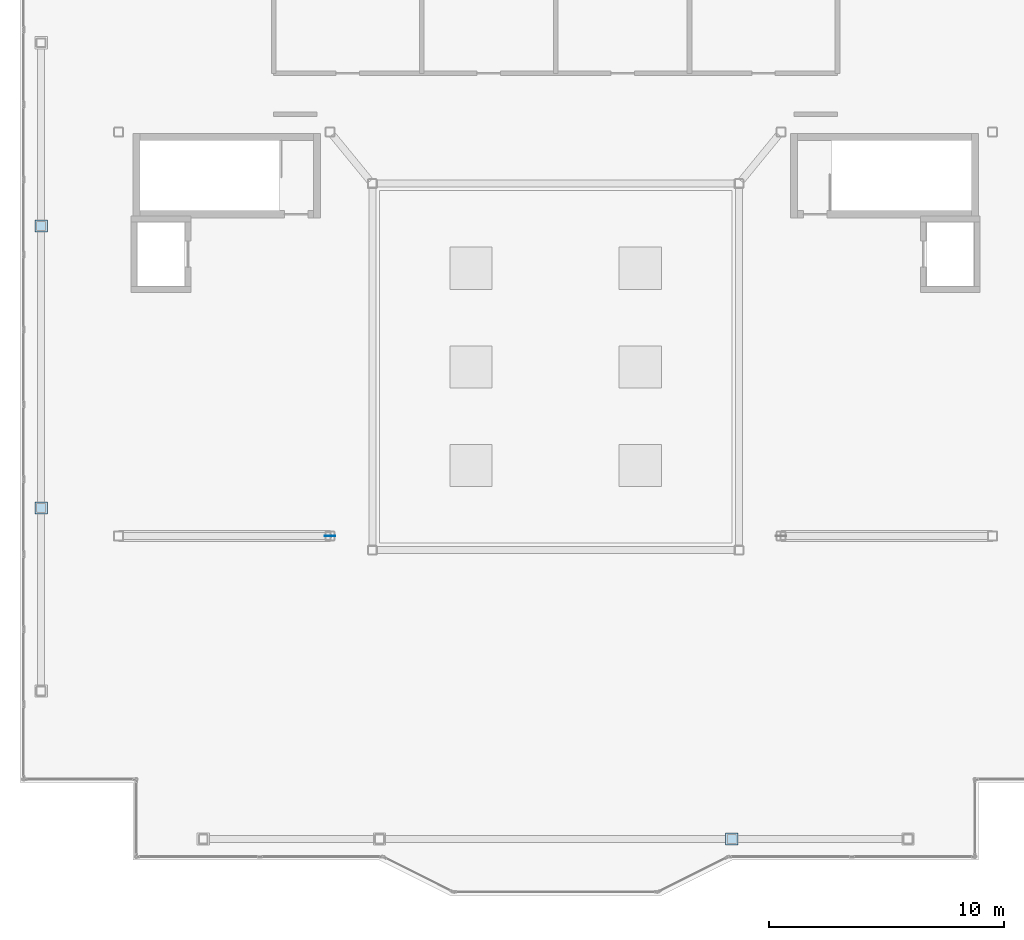
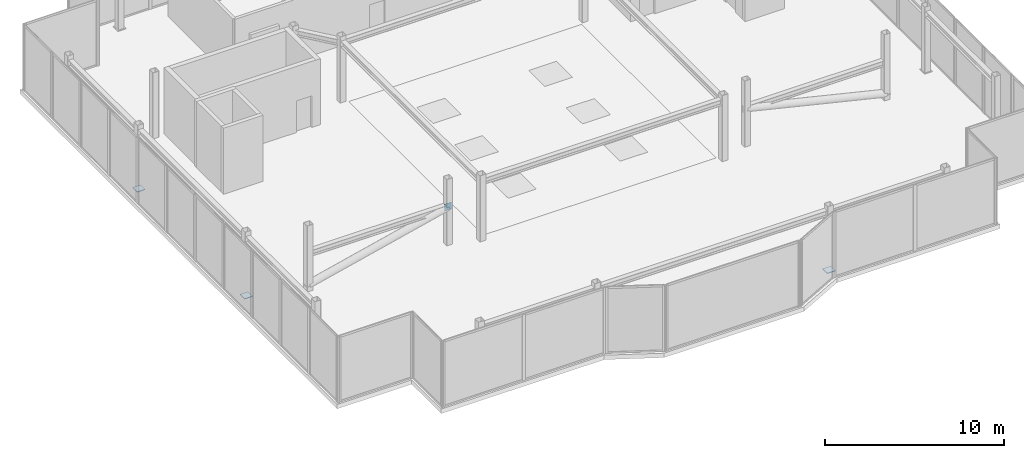
# One storey, part 15 of 18: 4 plates.
"""IFC4 building model written with IfcOpenShell, lengths in metres."""

from ifc_helpers import new_model, si_unit, direction, frame, origin, origin_2d, place, context, subcontext, project, spatial, rectangle, extrude, material, layer, layer_set, type_object, element, save


model = new_model("IFC4")

# Units and contexts
model_context = context("Model", 3, precision=1e-05, world=origin(), true_north=direction((0.0, 1.0)))
body_context = subcontext(model_context, "Body", "Model", "MODEL_VIEW")
ifc_project = project(units=[si_unit("LENGTHUNIT", "METRE"), si_unit("AREAUNIT", "SQUARE_METRE"), si_unit("VOLUMEUNIT", "CUBIC_METRE"), si_unit("PLANEANGLEUNIT", "RADIAN"), si_unit("MASSUNIT", "GRAM", prefix="KILO")], contexts=[model_context])

# Site, building, storey
site_placement = place(None, origin())
site = spatial("IfcSite", under=ifc_project, at=site_placement, CompositionType="ELEMENT")
building_placement = place(site_placement, origin())
building = spatial("IfcBuilding", under=site, at=building_placement, Name="Tarnavaz Court Tower", CompositionType="ELEMENT")
storey_placement = place(building_placement, frame((0.0, 0.0, 281.550048828125)))
storey = spatial("IfcBuildingStorey", under=building, at=storey_placement, Name="C01", CompositionType="ELEMENT", Elevation=281.550048828125)

# Plates
ifc_material = material(Name="Steel S355", Category="steel")
ifc_layer_1 = layer(ifc_material, 0.034912109375)
ifc_layer_set_1 = layer_set([ifc_layer_1], Name="Steel S355")
plate_type_1 = type_object("IfcPlateType", Name="PL-BASE-35", PredefinedType="USERDEFINED", material=ifc_layer_set_1)
for number, where, z_axis, x_axis, name in (
    (1, (7.5, -20.10009765625, 0.0), (0.0, 0.0, 1.0), (1.0, 0.0, 0.0), "C01 Crown Frame Post Base Plate PS-3"),
    (2, (-21.89990234375, -6.0, 0.0), (0.0, 0.0, 1.0), (1.0, 0.0, 0.0), "C01 Crown Frame Post Base Plate PW-2"),
    (3, (-21.89990234375, 6.0, 0.0), (0.0, 0.0, 1.0), (1.0, 0.0, 0.0), "C01 Crown Frame Post Base Plate PW-3"),
):
    element("IfcPlate", number, at=place(storey_placement, frame(where, z_axis=z_axis, x_axis=x_axis)), inside=storey, type_object=plate_type_1, Name=name, ObjectType="BASE PLATE", PredefinedType="USERDEFINED", context=body_context, shape_type="SweptSolid", body=[
        extrude(rectangle(XDim=0.52001953125, YDim=0.52001953125, at=origin_2d()), origin(), (0.0, 0.0, 1.0), 0.034912109375),
    ])
ifc_layer_2 = layer(ifc_material, 0.030029296875)
ifc_layer_set_2 = layer_set([ifc_layer_2], Name="Steel S355")
plate_type_2 = type_object("IfcPlateType", Name="PL-GUSSET-30", PredefinedType="USERDEFINED", material=ifc_layer_set_2)
plate_placement = place(storey_placement, frame((-9.60009765625, -7.199951171875, 2.280029296875), z_axis=(0.0, 0.0, 1.0), x_axis=(1.0, 0.0, 0.0)))
element("IfcPlate", 4, at=plate_placement, inside=storey, type_object=plate_type_2, Name="C01 Structural Brace & Strut End Gusset Plate 147", ObjectType="GUSSET PLATE", PredefinedType="USERDEFINED", context=body_context, shape_type="SweptSolid", body=[
    extrude(rectangle(XDim=0.43994140625, YDim=0.030029296875, at=origin_2d()), origin(), (0.0, 0.0, 1.0), 0.43994140625),
])

save(model, "model.ifc")
